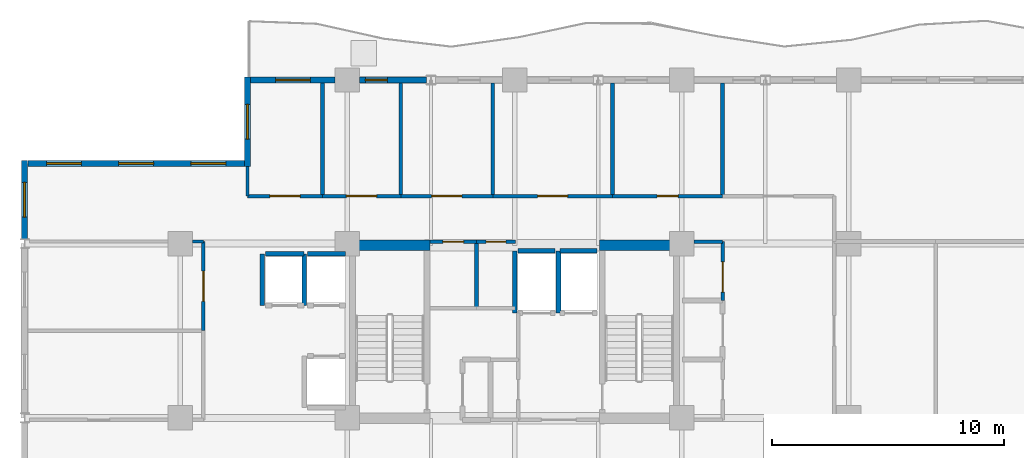
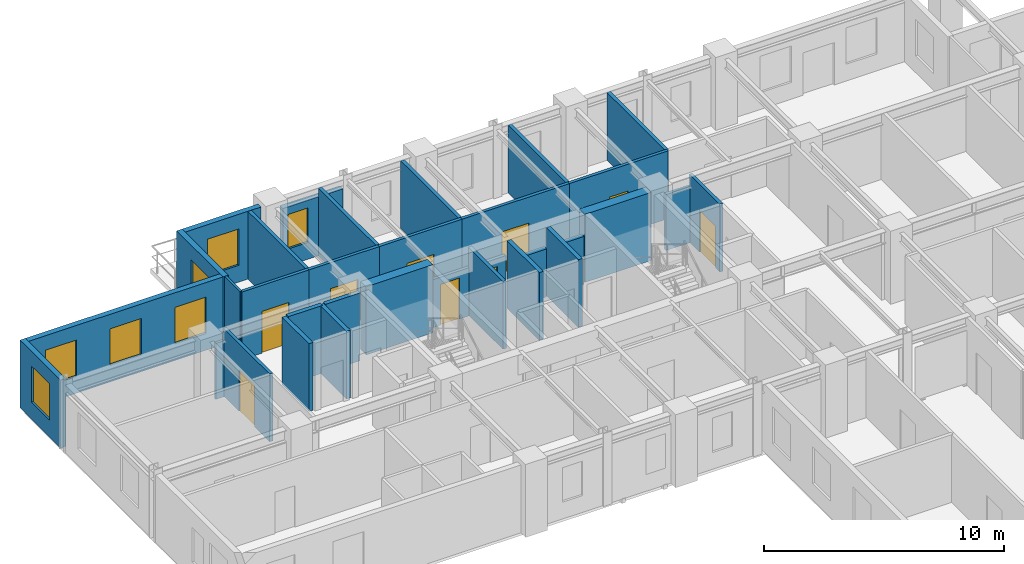
# One storey, part 8 of 13: 33 walls, 9 doors, 7 windows, 16 openings.
"""IFC4 building model written with IfcOpenShell, lengths in metres."""

from ifc_helpers import new_model, si_unit, direction, frame, frame_2d, origin, place, context, subcontext, project, spatial, rectangle, extrude, material, layer, layer_set, type_object, element, fill, save


model = new_model("IFC4")

# Units and contexts
model_context = context("Model", 3, precision=1e-05, world=origin(), true_north=direction((0.0, 1.0)))
body_context = subcontext(model_context, "Body", "Model", "MODEL_VIEW")
ifc_project = project(units=[si_unit("LENGTHUNIT", "METRE"), si_unit("AREAUNIT", "SQUARE_METRE"), si_unit("VOLUMEUNIT", "CUBIC_METRE"), si_unit("PLANEANGLEUNIT", "RADIAN"), si_unit("MASSUNIT", "GRAM", prefix="KILO")], contexts=[model_context])

# Site, building, storey
site_placement = place(None, origin())
site = spatial("IfcSite", under=ifc_project, at=site_placement, CompositionType="ELEMENT")
building_placement = place(site_placement, origin())
building = spatial("IfcBuilding", under=site, at=building_placement, Name="Kaliganga Portal Commons", CompositionType="ELEMENT")
storey_placement = place(building_placement, frame((0.0, 0.0, 173.5)))
storey = spatial("IfcBuildingStorey", under=building, at=storey_placement, Name="L44", CompositionType="ELEMENT", Elevation=173.5)

# Walls
ifc_material_1 = material(Name="Concrete C60/75", Category="concrete")
ifc_layer_1 = layer(ifc_material_1, 0.449951171875)
ifc_layer_set_1 = layer_set([ifc_layer_1], Name="Concrete C60/75")
wall_type_1 = type_object("IfcWallType", Name="WL-CORE-450", PredefinedType="SHEAR", material=ifc_layer_set_1)
for number, where, z_axis, x_axis, name in (
    (1, (14.75, 36.074951171875, 0.0), (0.0, 0.0, 1.0), (1.0, 0.0, 0.0), "Core A N-West Shear Wall L44"),
    (2, (25.25, 36.074951171875, 0.0), (0.0, 0.0, 1.0), (1.0, 0.0, 0.0), "Core A N-East Shear Wall L44"),
):
    element("IfcWall", number, at=place(storey_placement, frame(where, z_axis=z_axis, x_axis=x_axis)), inside=storey, type_object=wall_type_1, Name=name, PredefinedType="SHEAR", context=body_context, shape_type="SweptSolid", body=[
        extrude(rectangle(XDim=3.199951171875, YDim=0.449951171875, at=frame_2d((1.60009765625, 0.0))), origin(), (0.0, 0.0, 1.0), 3.4599609375),
    ])

# Wall, opening, window
ifc_material_2 = material(Name="Insulated Aluminium-Clad Spandrel Assembly", Category="aluminium")
ifc_layer_2 = layer(ifc_material_2, 0.260009765625)
ifc_layer_set_2 = layer_set([ifc_layer_2], Name="Insulated Aluminium-Clad Spandrel Assembly")
wall_type_2 = type_object("IfcWallType", Name="WL-EXT-SPAND-260", PredefinedType="STANDARD", material=ifc_layer_set_2)
wall_1_placement = place(storey_placement, frame((14.926025390625, 43.199951171875, 0.0), z_axis=(0.0, 0.0, 1.0), x_axis=(1.0, 0.0, 0.0)))
wall_1 = element("IfcWall", 3, at=wall_1_placement, inside=storey, type_object=wall_type_2, Name="Exterior Envelope Wall L44 P1-E06-S7", PredefinedType="STANDARD", context=body_context, shape_type="SweptSolid", body=[
    extrude(rectangle(XDim=2.87109375, YDim=0.260009765625, at=frame_2d((1.435546875, 0.0))), origin(), (0.0, 0.0, 1.0), 2.989990234375),
])
opening_1_placement = place(wall_1_placement, frame((0.24853515625, 0.0, 0.85009765625)))
opening_1 = element("IfcOpeningElement", 4, at=opening_1_placement, cuts=wall_1, Name="Opening W-04", PredefinedType="OPENING", context=body_context, shape_type="SweptSolid", body=[
    extrude(rectangle(XDim=0.949951171875, YDim=1.75, at=frame_2d((0.47509765625, 0.875))), frame((0.0, 0.14013671875, 0.0), z_axis=(0.0, -1.0, 0.0), x_axis=(1.0, 0.0, 0.0)), (0.0, 0.0, 1.0), 0.280029296875),
])
ifc_material_3 = material(Name="Thermally Broken Aluminium and Low-E Double Glazing", Category="aluminium")
window_type_1 = type_object("IfcWindowType", Name="WIN-NARROW-950", PartitioningType="SINGLE_PANEL", PredefinedType="WINDOW", material=ifc_material_3)
window_1_placement = place(opening_1_placement, origin())
window_1 = element("IfcWindow", 5, at=window_1_placement, inside=storey, type_object=window_type_1, Name="Facade Window L44-P1E06S7-N1", OverallHeight=1.75, OverallWidth=0.949951171875, PartitioningType="SINGLE_PANEL", PredefinedType="WINDOW", context=body_context, shape_type="SweptSolid", body=[
    extrude(rectangle(XDim=0.949951171875, YDim=1.75, at=frame_2d((0.47509765625, 0.875))), frame((0.0, 0.030029296875, 0.0), z_axis=(0.0, -1.0, 0.0), x_axis=(1.0, 0.0, 0.0)), (0.0, 0.0, 1.0), 0.06005859375),
])
fill(opening_1, window_1)

wall_2_placement = place(storey_placement, frame((10.235107421875, 43.199951171875, 0.0), z_axis=(0.0, 0.0, 1.0), x_axis=(1.0, 0.0, 0.0)))
wall_2 = element("IfcWall", 6, at=wall_2_placement, inside=storey, type_object=wall_type_2, Name="Exterior Envelope Wall L44 P1-E06-S8", PredefinedType="STANDARD", context=body_context, shape_type="SweptSolid", body=[
    extrude(rectangle(XDim=3.638916015625, YDim=0.260009765625, at=frame_2d((1.8193359375, 0.0))), origin(), (0.0, 0.0, 1.0), 3.43994140625),
])
opening_2_placement = place(wall_2_placement, frame((1.069580078125, 0.0, 0.85009765625)))
opening_2 = element("IfcOpeningElement", 7, at=opening_2_placement, cuts=wall_2, Name="Opening W-02", PredefinedType="OPENING", context=body_context, shape_type="SweptSolid", body=[
    extrude(rectangle(XDim=1.5, YDim=1.85009765625, at=frame_2d((0.75, 0.925048828125))), frame((0.0, 0.14013671875, 0.0), z_axis=(0.0, -1.0, 0.0), x_axis=(1.0, 0.0, 0.0)), (0.0, 0.0, 1.0), 0.280029296875),
])
window_type_2 = type_object("IfcWindowType", Name="WIN-STD-1500", PartitioningType="DOUBLE_PANEL_VERTICAL", PredefinedType="WINDOW", material=ifc_material_3)
window_2_placement = place(opening_2_placement, origin())
window_2 = element("IfcWindow", 8, at=window_2_placement, inside=storey, type_object=window_type_2, Name="Facade Window L44-P1E06S8-00", OverallHeight=1.85009765625, OverallWidth=1.5, PartitioningType="SINGLE_PANEL", PredefinedType="WINDOW", context=body_context, shape_type="SweptSolid", body=[
    extrude(rectangle(XDim=1.5, YDim=1.85009765625, at=frame_2d((0.75, 0.925048828125))), frame((0.0, 0.030029296875, 0.0), z_axis=(0.0, -1.0, 0.0), x_axis=(1.0, 0.0, 0.0)), (0.0, 0.0, 1.0), 0.06005859375),
])
fill(opening_2, window_2)

wall_3_placement = place(storey_placement, frame((10.10009765625, 39.469970703125, 0.0), z_axis=(0.0, 0.0, 1.0), x_axis=(0.0, 1.0, 0.0)))
wall_3 = element("IfcWall", 9, at=wall_3_placement, inside=storey, type_object=wall_type_2, Name="Exterior Envelope Wall L44 P1-E07-S1", PredefinedType="STANDARD", context=body_context, shape_type="SweptSolid", body=[
    extrude(rectangle(XDim=3.860107421875, YDim=0.260009765625, at=frame_2d((1.93017578125, 0.0))), origin(), (0.0, 0.0, 1.0), 3.43994140625),
])
opening_3_placement = place(wall_3_placement, frame((1.179931640625, 0.0, 0.85009765625)))
opening_3 = element("IfcOpeningElement", 10, at=opening_3_placement, cuts=wall_3, Name="Opening W-02", PredefinedType="OPENING", context=body_context, shape_type="SweptSolid", body=[
    extrude(rectangle(XDim=1.5, YDim=1.85009765625, at=frame_2d((0.75, 0.925048828125))), frame((0.0, 0.14013671875, 0.0), z_axis=(0.0, -1.0, 0.0), x_axis=(1.0, 0.0, 0.0)), (0.0, 0.0, 1.0), 0.280029296875),
])
window_3_placement = place(opening_3_placement, origin())
window_3 = element("IfcWindow", 11, at=window_3_placement, inside=storey, type_object=window_type_2, Name="Facade Window L44-P1E07S1-00", OverallHeight=1.85009765625, OverallWidth=1.5, PartitioningType="SINGLE_PANEL", PredefinedType="WINDOW", context=body_context, shape_type="SweptSolid", body=[
    extrude(rectangle(XDim=1.5, YDim=1.85009765625, at=frame_2d((0.75, 0.925048828125))), frame((0.0, 0.030029296875, 0.0), z_axis=(0.0, -1.0, 0.0), x_axis=(1.0, 0.0, 0.0)), (0.0, 0.0, 1.0), 0.06005859375),
])
fill(opening_3, window_3)

# Wall, openings, windows
wall_4_placement = place(storey_placement, frame((0.635009765625, 39.60009765625, 0.0), z_axis=(0.0, 0.0, 1.0), x_axis=(1.0, 0.0, 0.0)))
wall_4 = element("IfcWall", 12, at=wall_4_placement, inside=storey, type_object=wall_type_2, Name="Exterior Envelope Wall L44 P1-E08-S1", PredefinedType="STANDARD", context=body_context, shape_type="SweptSolid", body=[
    extrude(rectangle(XDim=9.330078125, YDim=0.260009765625, at=frame_2d((4.6650390625, 0.0))), origin(), (0.0, 0.0, 1.0), 3.43994140625),
])
opening_4_placement = place(wall_4_placement, frame((0.804931640625, 0.0, 0.85009765625)))
opening_4 = element("IfcOpeningElement", 13, at=opening_4_placement, cuts=wall_4, Name="Opening W-02", PredefinedType="OPENING", context=body_context, shape_type="SweptSolid", body=[
    extrude(rectangle(XDim=1.5, YDim=1.85009765625, at=frame_2d((0.75, 0.925048828125))), frame((0.0, 0.14013671875, 0.0), z_axis=(0.0, -1.0, 0.0), x_axis=(1.0, 0.0, 0.0)), (0.0, 0.0, 1.0), 0.280029296875),
])
opening_5_placement = place(wall_4_placement, frame((3.9150390625, 0.0, 0.85009765625)))
opening_5 = element("IfcOpeningElement", 14, at=opening_5_placement, cuts=wall_4, Name="Opening W-02", PredefinedType="OPENING", context=body_context, shape_type="SweptSolid", body=[
    extrude(rectangle(XDim=1.5, YDim=1.85009765625, at=frame_2d((0.75, 0.925048828125))), frame((0.0, 0.14013671875, 0.0), z_axis=(0.0, -1.0, 0.0), x_axis=(1.0, 0.0, 0.0)), (0.0, 0.0, 1.0), 0.280029296875),
])
opening_6_placement = place(wall_4_placement, frame((7.02490234375, 0.0, 0.85009765625)))
opening_6 = element("IfcOpeningElement", 15, at=opening_6_placement, cuts=wall_4, Name="Opening W-02", PredefinedType="OPENING", context=body_context, shape_type="SweptSolid", body=[
    extrude(rectangle(XDim=1.5, YDim=1.85009765625, at=frame_2d((0.75, 0.925048828125))), frame((0.0, 0.14013671875, 0.0), z_axis=(0.0, -1.0, 0.0), x_axis=(1.0, 0.0, 0.0)), (0.0, 0.0, 1.0), 0.280029296875),
])
window_4_placement = place(opening_4_placement, origin())
window_4 = element("IfcWindow", 16, at=window_4_placement, inside=storey, type_object=window_type_2, Name="Facade Window L44-P1E08S1-00", OverallHeight=1.85009765625, OverallWidth=1.5, PartitioningType="SINGLE_PANEL", PredefinedType="WINDOW", context=body_context, shape_type="SweptSolid", body=[
    extrude(rectangle(XDim=1.5, YDim=1.85009765625, at=frame_2d((0.75, 0.925048828125))), frame((0.0, 0.030029296875, 0.0), z_axis=(0.0, -1.0, 0.0), x_axis=(1.0, 0.0, 0.0)), (0.0, 0.0, 1.0), 0.06005859375),
])
fill(opening_4, window_4)
window_5_placement = place(opening_5_placement, origin())
window_5 = element("IfcWindow", 17, at=window_5_placement, inside=storey, type_object=window_type_2, Name="Facade Window L44-P1E08S1-01", OverallHeight=1.85009765625, OverallWidth=1.5, PartitioningType="SINGLE_PANEL", PredefinedType="WINDOW", context=body_context, shape_type="SweptSolid", body=[
    extrude(rectangle(XDim=1.5, YDim=1.85009765625, at=frame_2d((0.75, 0.925048828125))), frame((0.0, 0.030029296875, 0.0), z_axis=(0.0, -1.0, 0.0), x_axis=(1.0, 0.0, 0.0)), (0.0, 0.0, 1.0), 0.06005859375),
])
fill(opening_5, window_5)
window_6_placement = place(opening_6_placement, origin())
window_6 = element("IfcWindow", 18, at=window_6_placement, inside=storey, type_object=window_type_2, Name="Facade Window L44-P1E08S1-02", OverallHeight=1.85009765625, OverallWidth=1.5, PartitioningType="SINGLE_PANEL", PredefinedType="WINDOW", context=body_context, shape_type="SweptSolid", body=[
    extrude(rectangle(XDim=1.5, YDim=1.85009765625, at=frame_2d((0.75, 0.925048828125))), frame((0.0, 0.030029296875, 0.0), z_axis=(0.0, -1.0, 0.0), x_axis=(1.0, 0.0, 0.0)), (0.0, 0.0, 1.0), 0.06005859375),
])
fill(opening_6, window_6)

# Wall, opening, window
wall_5_placement = place(storey_placement, frame((0.5, 36.35791015625, 0.0), z_axis=(0.0, 0.0, 1.0), x_axis=(0.0, 1.0, 0.0)))
wall_5 = element("IfcWall", 19, at=wall_5_placement, inside=storey, type_object=wall_type_2, Name="Exterior Envelope Wall L44 P1-E09-S1", PredefinedType="STANDARD", context=body_context, shape_type="SweptSolid", body=[
    extrude(rectangle(XDim=3.3720703125, YDim=0.260009765625, at=frame_2d((1.68603515625, 0.0))), origin(), (0.0, 0.0, 1.0), 3.43994140625),
])
opening_7_placement = place(wall_5_placement, frame((0.93603515625, 0.0, 0.85009765625)))
opening_7 = element("IfcOpeningElement", 20, at=opening_7_placement, cuts=wall_5, Name="Opening W-02", PredefinedType="OPENING", context=body_context, shape_type="SweptSolid", body=[
    extrude(rectangle(XDim=1.5, YDim=1.85009765625, at=frame_2d((0.75, 0.925048828125))), frame((0.0, 0.14013671875, 0.0), z_axis=(0.0, -1.0, 0.0), x_axis=(1.0, 0.0, 0.0)), (0.0, 0.0, 1.0), 0.280029296875),
])
window_7_placement = place(opening_7_placement, origin())
window_7 = element("IfcWindow", 21, at=window_7_placement, inside=storey, type_object=window_type_2, Name="Facade Window L44-P1E09S1-00", OverallHeight=1.85009765625, OverallWidth=1.5, PartitioningType="SINGLE_PANEL", PredefinedType="WINDOW", context=body_context, shape_type="SweptSolid", body=[
    extrude(rectangle(XDim=1.5, YDim=1.85009765625, at=frame_2d((0.75, 0.925048828125))), frame((0.0, 0.030029296875, 0.0), z_axis=(0.0, -1.0, 0.0), x_axis=(1.0, 0.0, 0.0)), (0.0, 0.0, 1.0), 0.06005859375),
])
fill(opening_7, window_7)

# Wall, opening, door
ifc_material_4 = material(Name="Fire-Rated Gypsum Board on Steel Stud", Category="steel")
ifc_layer_3 = layer(ifc_material_4, 0.14990234375)
ifc_layer_set_3 = layer_set([ifc_layer_3], Name="Fire-Rated Gypsum Board on Steel Stud")
wall_type_3 = type_object("IfcWallType", Name="WL-PART-CORR-150", PredefinedType="PARTITIONING", material=ifc_layer_set_3)
wall_6_placement = place(storey_placement, frame((20.659912109375, 38.199951171875, 0.0), z_axis=(0.0, 0.0, 1.0), x_axis=(1.0, 0.0, 0.0)))
wall_6 = element("IfcWall", 22, at=wall_6_placement, inside=storey, type_object=wall_type_3, Name="Interior Partition L44-019", PredefinedType="PARTITIONING", context=body_context, shape_type="SweptSolid", body=[
    extrude(rectangle(XDim=5.16015625, YDim=0.14990234375, at=frame_2d((2.580078125, 0.0))), origin(), (0.0, 0.0, 1.0), 3.43994140625),
])
opening_8_placement = place(wall_6_placement, frame((1.929931640625, 0.0, 0.0)))
opening_8 = element("IfcOpeningElement", 23, at=opening_8_placement, cuts=wall_6, Name="Opening RD-03", PredefinedType="OPENING", context=body_context, shape_type="SweptSolid", body=[
    extrude(rectangle(XDim=1.300048828125, YDim=2.1201171875, at=frame_2d((0.64990234375, 1.06005859375))), frame((0.0, 0.0849609375, 0.0), z_axis=(0.0, -1.0, 0.0), x_axis=(1.0, 0.0, 0.0)), (0.0, 0.0, 1.0), 0.169921875),
])
ifc_material_5 = material(Name="Glazed Timber Seminar Vision Door", Category="wood")
door_type_1 = type_object("IfcDoorType", Name="DR-STUDY-1300", OperationType="DOUBLE_DOOR_SINGLE_SWING", PredefinedType="DOOR", material=ifc_material_5)
door_1_placement = place(opening_8_placement, origin())
door_1 = element("IfcDoor", 24, at=door_1_placement, inside=storey, type_object=door_type_1, Name="Interior Door L44-AN04", OperationType="DOUBLE_DOOR_SINGLE_SWING", OverallHeight=2.1201171875, OverallWidth=1.300048828125, PredefinedType="DOOR", context=body_context, shape_type="SweptSolid", body=[
    extrude(rectangle(XDim=1.300048828125, YDim=2.1201171875, at=frame_2d((0.64990234375, 1.06005859375))), frame((0.0, 0.02490234375, 0.0), z_axis=(0.0, -1.0, 0.0), x_axis=(1.0, 0.0, 0.0)), (0.0, 0.0, 1.0), 0.050048828125),
])
fill(opening_8, door_1)

wall_7_placement = place(storey_placement, frame((25.820068359375, 38.199951171875, 0.0), z_axis=(0.0, 0.0, 1.0), x_axis=(1.0, 0.0, 0.0)))
wall_7 = element("IfcWall", 25, at=wall_7_placement, inside=storey, type_object=wall_type_3, Name="Interior Partition L44-023", PredefinedType="PARTITIONING", context=body_context, shape_type="SweptSolid", body=[
    extrude(rectangle(XDim=4.739990234375, YDim=0.14990234375, at=frame_2d((2.3701171875, 0.0))), origin(), (0.0, 0.0, 1.0), 3.43994140625),
])
opening_9_placement = place(wall_7_placement, frame((1.919921875, 0.0, 0.0)))
opening_9 = element("IfcOpeningElement", 26, at=opening_9_placement, cuts=wall_7, Name="Opening RD-01", PredefinedType="OPENING", context=body_context, shape_type="SweptSolid", body=[
    extrude(rectangle(XDim=0.89990234375, YDim=2.080078125, at=frame_2d((0.449951171875, 1.0400390625))), frame((0.0, 0.0849609375, 0.0), z_axis=(0.0, -1.0, 0.0), x_axis=(1.0, 0.0, 0.0)), (0.0, 0.0, 1.0), 0.169921875),
])
ifc_material_6 = material(Name="Engineered Timber Flush Door", Category="wood")
door_type_2 = type_object("IfcDoorType", Name="DR-ROOM-900", OperationType="NOTDEFINED", PredefinedType="DOOR", material=ifc_material_6)
door_2_placement = place(opening_9_placement, origin())
door_2 = element("IfcDoor", 27, at=door_2_placement, inside=storey, type_object=door_type_2, Name="Interior Door L44-AN05", OperationType="SINGLE_SWING_RIGHT", OverallHeight=2.080078125, OverallWidth=0.89990234375, PredefinedType="DOOR", context=body_context, shape_type="SweptSolid", body=[
    extrude(rectangle(XDim=0.89990234375, YDim=2.080078125, at=frame_2d((0.449951171875, 1.0400390625))), frame((0.0, 0.02490234375, 0.0), z_axis=(0.0, -1.0, 0.0), x_axis=(1.0, 0.0, 0.0)), (0.0, 0.0, 1.0), 0.050048828125),
])
fill(opening_9, door_2)

wall_8_placement = place(storey_placement, frame((16.699951171875, 38.199951171875, 0.0), z_axis=(0.0, 0.0, 1.0), x_axis=(1.0, 0.0, 0.0)))
wall_8 = element("IfcWall", 28, at=wall_8_placement, inside=storey, type_object=wall_type_3, Name="Interior Partition L44-029", PredefinedType="PARTITIONING", context=body_context, shape_type="SweptSolid", body=[
    extrude(rectangle(XDim=3.9599609375, YDim=0.14990234375, at=frame_2d((1.97998046875, 0.0))), origin(), (0.0, 0.0, 1.0), 3.43994140625),
])
opening_10_placement = place(wall_8_placement, frame((1.330078125, 0.0, 0.0)))
opening_10 = element("IfcOpeningElement", 29, at=opening_10_placement, cuts=wall_8, Name="Opening RD-03", PredefinedType="OPENING", context=body_context, shape_type="SweptSolid", body=[
    extrude(rectangle(XDim=1.300048828125, YDim=2.1201171875, at=frame_2d((0.64990234375, 1.06005859375))), frame((0.0, 0.0849609375, 0.0), z_axis=(0.0, -1.0, 0.0), x_axis=(1.0, 0.0, 0.0)), (0.0, 0.0, 1.0), 0.169921875),
])
door_3_placement = place(opening_10_placement, origin())
door_3 = element("IfcDoor", 30, at=door_3_placement, inside=storey, type_object=door_type_1, Name="Interior Door L44-AN03", OperationType="DOUBLE_DOOR_SINGLE_SWING", OverallHeight=2.1201171875, OverallWidth=1.300048828125, PredefinedType="DOOR", context=body_context, shape_type="SweptSolid", body=[
    extrude(rectangle(XDim=1.300048828125, YDim=2.1201171875, at=frame_2d((0.64990234375, 1.06005859375))), frame((0.0, 0.02490234375, 0.0), z_axis=(0.0, -1.0, 0.0), x_axis=(1.0, 0.0, 0.0)), (0.0, 0.0, 1.0), 0.050048828125),
])
fill(opening_10, door_3)

wall_9_placement = place(storey_placement, frame((8.199951171875, 32.39990234375, 0.0), z_axis=(0.0, 0.0, 1.0), x_axis=(0.0, 1.0, 0.0)))
wall_9 = element("IfcWall", 31, at=wall_9_placement, inside=storey, type_object=wall_type_3, Name="Interior Partition L44-032", PredefinedType="PARTITIONING", context=body_context, shape_type="SweptSolid", body=[
    extrude(rectangle(XDim=3.840087890625, YDim=0.14990234375, at=frame_2d((1.919921875, 0.0))), origin(), (0.0, 0.0, 1.0), 3.43994140625),
])
opening_11_placement = place(wall_9_placement, frame((1.27001953125, 0.0, 0.0)))
opening_11 = element("IfcOpeningElement", 32, at=opening_11_placement, cuts=wall_9, Name="Opening RD-03", PredefinedType="OPENING", context=body_context, shape_type="SweptSolid", body=[
    extrude(rectangle(XDim=1.300048828125, YDim=2.1201171875, at=frame_2d((0.64990234375, 1.06005859375))), frame((0.0, 0.0849609375, 0.0), z_axis=(0.0, -1.0, 0.0), x_axis=(1.0, 0.0, 0.0)), (0.0, 0.0, 1.0), 0.169921875),
])
door_4_placement = place(opening_11_placement, origin())
door_4 = element("IfcDoor", 33, at=door_4_placement, inside=storey, type_object=door_type_1, Name="Interior Door L44-AW02", OperationType="DOUBLE_DOOR_SINGLE_SWING", OverallHeight=2.1201171875, OverallWidth=1.300048828125, PredefinedType="DOOR", context=body_context, shape_type="SweptSolid", body=[
    extrude(rectangle(XDim=1.300048828125, YDim=2.1201171875, at=frame_2d((0.64990234375, 1.06005859375))), frame((0.0, 0.02490234375, 0.0), z_axis=(0.0, -1.0, 0.0), x_axis=(1.0, 0.0, 0.0)), (0.0, 0.0, 1.0), 0.050048828125),
])
fill(opening_11, door_4)

wall_10_placement = place(storey_placement, frame((13.320068359375, 38.199951171875, 0.0), z_axis=(0.0, 0.0, 1.0), x_axis=(1.0, 0.0, 0.0)))
wall_10 = element("IfcWall", 34, at=wall_10_placement, inside=storey, type_object=wall_type_3, Name="Interior Partition L44-035", PredefinedType="PARTITIONING", context=body_context, shape_type="SweptSolid", body=[
    extrude(rectangle(XDim=3.3798828125, YDim=0.14990234375, at=frame_2d((1.68994140625, 0.0))), origin(), (0.0, 0.0, 1.0), 3.43994140625),
])
opening_12_placement = place(wall_10_placement, frame((1.0400390625, 0.0, 0.0)))
opening_12 = element("IfcOpeningElement", 35, at=opening_12_placement, cuts=wall_10, Name="Opening RD-03", PredefinedType="OPENING", context=body_context, shape_type="SweptSolid", body=[
    extrude(rectangle(XDim=1.300048828125, YDim=2.1201171875, at=frame_2d((0.64990234375, 1.06005859375))), frame((0.0, 0.0849609375, 0.0), z_axis=(0.0, -1.0, 0.0), x_axis=(1.0, 0.0, 0.0)), (0.0, 0.0, 1.0), 0.169921875),
])
door_5_placement = place(opening_12_placement, origin())
door_5 = element("IfcDoor", 36, at=door_5_placement, inside=storey, type_object=door_type_1, Name="Interior Door L44-AN02", OperationType="DOUBLE_DOOR_SINGLE_SWING", OverallHeight=2.1201171875, OverallWidth=1.300048828125, PredefinedType="DOOR", context=body_context, shape_type="SweptSolid", body=[
    extrude(rectangle(XDim=1.300048828125, YDim=2.1201171875, at=frame_2d((0.64990234375, 1.06005859375))), frame((0.0, 0.02490234375, 0.0), z_axis=(0.0, -1.0, 0.0), x_axis=(1.0, 0.0, 0.0)), (0.0, 0.0, 1.0), 0.050048828125),
])
fill(opening_12, door_5)

wall_11_placement = place(storey_placement, frame((10.10009765625, 38.199951171875, 0.0), z_axis=(0.0, 0.0, 1.0), x_axis=(1.0, 0.0, 0.0)))
wall_11 = element("IfcWall", 37, at=wall_11_placement, inside=storey, type_object=wall_type_3, Name="Interior Partition L44-036", PredefinedType="PARTITIONING", context=body_context, shape_type="SweptSolid", body=[
    extrude(rectangle(XDim=3.219970703125, YDim=0.14990234375, at=frame_2d((1.60986328125, 0.0))), origin(), (0.0, 0.0, 1.0), 3.43994140625),
])
opening_13_placement = place(wall_11_placement, frame((0.9599609375, 0.0, 0.0)))
opening_13 = element("IfcOpeningElement", 38, at=opening_13_placement, cuts=wall_11, Name="Opening RD-03", PredefinedType="OPENING", context=body_context, shape_type="SweptSolid", body=[
    extrude(rectangle(XDim=1.300048828125, YDim=2.1201171875, at=frame_2d((0.64990234375, 1.06005859375))), frame((0.0, 0.0849609375, 0.0), z_axis=(0.0, -1.0, 0.0), x_axis=(1.0, 0.0, 0.0)), (0.0, 0.0, 1.0), 0.169921875),
])
door_6_placement = place(opening_13_placement, origin())
door_6 = element("IfcDoor", 39, at=door_6_placement, inside=storey, type_object=door_type_1, Name="Interior Door L44-AN01", OperationType="DOUBLE_DOOR_SINGLE_SWING", OverallHeight=2.1201171875, OverallWidth=1.300048828125, PredefinedType="DOOR", context=body_context, shape_type="SweptSolid", body=[
    extrude(rectangle(XDim=1.300048828125, YDim=2.1201171875, at=frame_2d((0.64990234375, 1.06005859375))), frame((0.0, 0.02490234375, 0.0), z_axis=(0.0, -1.0, 0.0), x_axis=(1.0, 0.0, 0.0)), (0.0, 0.0, 1.0), 0.050048828125),
])
fill(opening_13, door_6)

wall_12_placement = place(storey_placement, frame((30.56005859375, 33.699951171875, 0.0), z_axis=(0.0, 0.0, 1.0), x_axis=(0.0, 1.0, 0.0)))
wall_12 = element("IfcWall", 40, at=wall_12_placement, inside=storey, type_object=wall_type_3, Name="Interior Partition L44-046", PredefinedType="PARTITIONING", context=body_context, shape_type="SweptSolid", body=[
    extrude(rectangle(XDim=2.5400390625, YDim=0.14990234375, at=frame_2d((1.27001953125, 0.0))), origin(), (0.0, 0.0, 1.0), 3.43994140625),
])
opening_14_placement = place(wall_12_placement, frame((0.365966796875, 0.0, 0.0)))
opening_14 = element("IfcOpeningElement", 41, at=opening_14_placement, cuts=wall_12, Name="Opening RD-03", PredefinedType="OPENING", context=body_context, shape_type="SweptSolid", body=[
    extrude(rectangle(XDim=1.300048828125, YDim=2.1201171875, at=frame_2d((0.64990234375, 1.06005859375))), frame((0.0, 0.0849609375, 0.0), z_axis=(0.0, -1.0, 0.0), x_axis=(1.0, 0.0, 0.0)), (0.0, 0.0, 1.0), 0.169921875),
])
door_7_placement = place(opening_14_placement, origin())
door_7 = element("IfcDoor", 42, at=door_7_placement, inside=storey, type_object=door_type_1, Name="Interior Door L44-CSRV_A2", OperationType="DOUBLE_DOOR_SINGLE_SWING", OverallHeight=2.1201171875, OverallWidth=1.300048828125, PredefinedType="DOOR", context=body_context, shape_type="SweptSolid", body=[
    extrude(rectangle(XDim=1.300048828125, YDim=2.1201171875, at=frame_2d((0.64990234375, 1.06005859375))), frame((0.0, 0.02490234375, 0.0), z_axis=(0.0, -1.0, 0.0), x_axis=(1.0, 0.0, 0.0)), (0.0, 0.0, 1.0), 0.050048828125),
])
fill(opening_14, door_7)

wall_13_placement = place(storey_placement, frame((17.9599609375, 36.239990234375, 0.0), z_axis=(0.0, 0.0, 1.0), x_axis=(1.0, 0.0, 0.0)))
wall_13 = element("IfcWall", 43, at=wall_13_placement, inside=storey, type_object=wall_type_3, Name="Interior Partition L44-048", PredefinedType="PARTITIONING", context=body_context, shape_type="SweptSolid", body=[
    extrude(rectangle(XDim=2.0, YDim=0.14990234375, at=frame_2d((1.0, 0.0))), origin(), (0.0, 0.0, 1.0), 2.43994140625),
])
opening_15_placement = place(wall_13_placement, frame((0.550048828125, 0.0, 0.0)))
opening_15 = element("IfcOpeningElement", 44, at=opening_15_placement, cuts=wall_13, Name="Opening RD-01", PredefinedType="OPENING", context=body_context, shape_type="SweptSolid", body=[
    extrude(rectangle(XDim=0.89990234375, YDim=2.080078125, at=frame_2d((0.449951171875, 1.0400390625))), frame((0.0, 0.0849609375, 0.0), z_axis=(0.0, -1.0, 0.0), x_axis=(1.0, 0.0, 0.0)), (0.0, 0.0, 1.0), 0.169921875),
])
door_8_placement = place(opening_15_placement, origin())
door_8 = element("IfcDoor", 45, at=door_8_placement, inside=storey, type_object=door_type_2, Name="Interior Door L44-CREC_A1", OperationType="SINGLE_SWING_RIGHT", OverallHeight=2.080078125, OverallWidth=0.89990234375, PredefinedType="DOOR", context=body_context, shape_type="SweptSolid", body=[
    extrude(rectangle(XDim=0.89990234375, YDim=2.080078125, at=frame_2d((0.449951171875, 1.0400390625))), frame((0.0, 0.02490234375, 0.0), z_axis=(0.0, -1.0, 0.0), x_axis=(1.0, 0.0, 0.0)), (0.0, 0.0, 1.0), 0.050048828125),
])
fill(opening_15, door_8)

# Wall
wall_14_placement = place(storey_placement, frame((29.324951171875, 36.239990234375, 0.0), z_axis=(0.0, 0.0, 1.0), x_axis=(1.0, 0.0, 0.0)))
element("IfcWall", 46, at=wall_14_placement, inside=storey, type_object=wall_type_3, Name="Interior Partition L44-051", PredefinedType="PARTITIONING", context=body_context, shape_type="SweptSolid", body=[
    extrude(rectangle(XDim=1.235107421875, YDim=0.14990234375, at=frame_2d((0.61767578125, 0.0))), origin(), (0.0, 0.0, 1.0), 2.840087890625),
])

# Wall, opening, door
wall_15_placement = place(storey_placement, frame((19.9599609375, 36.239990234375, 0.0), z_axis=(0.0, 0.0, 1.0), x_axis=(1.0, 0.0, 0.0)))
wall_15 = element("IfcWall", 47, at=wall_15_placement, inside=storey, type_object=wall_type_3, Name="Interior Partition L44-053", PredefinedType="PARTITIONING", context=body_context, shape_type="SweptSolid", body=[
    extrude(rectangle(XDim=1.679931640625, YDim=0.14990234375, at=frame_2d((0.83984375, 0.0))), origin(), (0.0, 0.0, 1.0), 2.43994140625),
])
opening_16_placement = place(wall_15_placement, frame((0.409912109375, 0.0, 0.0)))
opening_16 = element("IfcOpeningElement", 48, at=opening_16_placement, cuts=wall_15, Name="Opening WD-02", PredefinedType="OPENING", context=body_context, shape_type="SweptSolid", body=[
    extrude(rectangle(XDim=0.860107421875, YDim=2.02001953125, at=frame_2d((0.43017578125, 1.010009765625))), frame((0.0, 0.0849609375, 0.0), z_axis=(0.0, -1.0, 0.0), x_axis=(1.0, 0.0, 0.0)), (0.0, 0.0, 1.0), 0.169921875),
])
ifc_material_7 = material(Name="Fire-Rated Utility Closet Door", Category="wood")
door_type_3 = type_object("IfcDoorType", Name="DR-STORE-800", OperationType="NOTDEFINED", PredefinedType="DOOR", material=ifc_material_7)
door_9_placement = place(opening_16_placement, origin())
door_9 = element("IfcDoor", 49, at=door_9_placement, inside=storey, type_object=door_type_3, Name="Interior Door L44-CREC_A2", OperationType="SINGLE_SWING_LEFT", OverallHeight=2.02001953125, OverallWidth=0.860107421875, PredefinedType="DOOR", context=body_context, shape_type="SweptSolid", body=[
    extrude(rectangle(XDim=0.860107421875, YDim=2.02001953125, at=frame_2d((0.43017578125, 1.010009765625))), frame((0.0, 0.02490234375, 0.0), z_axis=(0.0, -1.0, 0.0), x_axis=(1.0, 0.0, 0.0)), (0.0, 0.0, 1.0), 0.050048828125),
])
fill(opening_16, door_9)

# Walls
ifc_material_8 = material(Name="Moisture-Resistant Gypsum Partition", Category="gypsum")
ifc_layer_4 = layer(ifc_material_8, 0.114990234375)
ifc_layer_set_4 = layer_set([ifc_layer_4], Name="Moisture-Resistant Gypsum Partition")
wall_type_4 = type_object("IfcWallType", Name="WL-PART-ROOM-115", PredefinedType="PARTITIONING", material=ifc_layer_set_4)
wall_16_placement = place(storey_placement, frame((7.72509765625, 36.239990234375, 0.0), z_axis=(0.0, 0.0, 1.0), x_axis=(1.0, 0.0, 0.0)))
element("IfcWall", 50, at=wall_16_placement, inside=storey, type_object=wall_type_4, Name="Interior Partition L44-064", PredefinedType="PARTITIONING", context=body_context, shape_type="SweptSolid", body=[
    extrude(rectangle(XDim=0.474853515625, YDim=0.114990234375, at=frame_2d((0.2373046875, 0.0))), origin(), (0.0, 0.0, 1.0), 2.840087890625),
])
wall_17_placement = place(storey_placement, frame((10.10009765625, 38.199951171875, 0.0), z_axis=(0.0, 0.0, 1.0), x_axis=(0.0, 1.0, 0.0)))
element("IfcWall", 51, at=wall_17_placement, inside=storey, type_object=wall_type_4, Name="Interior Partition L44-071", PredefinedType="PARTITIONING", context=body_context, shape_type="SweptSolid", body=[
    extrude(rectangle(XDim=1.26806640625, YDim=0.114990234375, at=frame_2d((0.634033203125, 0.0))), origin(), (0.0, 0.0, 1.0), 3.43994140625),
])
ifc_material_9 = material(Name="Twin-Stud Acoustic Gypsum Partition", Category="gypsum")
ifc_layer_5 = layer(ifc_material_9, 0.1650390625)
ifc_layer_set_5 = layer_set([ifc_layer_5], Name="Twin-Stud Acoustic Gypsum Partition")
wall_type_5 = type_object("IfcWallType", Name="WL-PART-UNIT-165", PredefinedType="PARTITIONING", material=ifc_layer_set_5)
for number, where, z_axis, x_axis, name in (
    (52, (13.320068359375, 38.199951171875, 0.0), (0.0, 0.0, 1.0), (0.0, 1.0, 0.0), "Interior Partition L44-072"),
    (53, (16.699951171875, 38.199951171875, 0.0), (0.0, 0.0, 1.0), (0.0, 1.0, 0.0), "Interior Partition L44-073"),
    (54, (20.659912109375, 38.199951171875, 0.0), (0.0, 0.0, 1.0), (0.0, 1.0, 0.0), "Interior Partition L44-075"),
    (55, (25.820068359375, 38.199951171875, 0.0), (0.0, 0.0, 1.0), (0.0, 1.0, 0.0), "Interior Partition L44-076"),
    (56, (30.56005859375, 38.199951171875, 0.0), (0.0, 0.0, 1.0), (0.0, 1.0, 0.0), "Interior Partition L44-078"),
):
    element("IfcWall", number, at=place(storey_placement, frame(where, z_axis=z_axis, x_axis=x_axis)), inside=storey, type_object=wall_type_5, Name=name, PredefinedType="PARTITIONING", context=body_context, shape_type="SweptSolid", body=[
        extrude(rectangle(XDim=4.8681640625, YDim=0.1650390625, at=frame_2d((2.43408203125, 0.0))), origin(), (0.0, 0.0, 1.0), 3.43994140625),
    ])
wall_18_placement = place(storey_placement, frame((19.9599609375, 33.360107421875, 0.0), z_axis=(0.0, 0.0, 1.0), x_axis=(0.0, 1.0, 0.0)))
element("IfcWall", 57, at=wall_18_placement, inside=storey, type_object=wall_type_5, Name="Interior Partition L44-086", PredefinedType="PARTITIONING", context=body_context, shape_type="SweptSolid", body=[
    extrude(rectangle(XDim=2.8798828125, YDim=0.1650390625, at=frame_2d((1.43994140625, 0.0))), origin(), (0.0, 0.0, 1.0), 3.43994140625),
])
ifc_material_10 = material(Name="Fire-Rated Shaftwall Masonry Assembly", Category="masonry")
ifc_layer_6 = layer(ifc_material_10, 0.199951171875)
ifc_layer_set_6 = layer_set([ifc_layer_6], Name="Fire-Rated Shaftwall Masonry Assembly")
wall_type_6 = type_object("IfcWallType", Name="WL-SHAFT-200", PredefinedType="PARTITIONING", material=ifc_layer_set_6)
wall_19_placement = place(storey_placement, frame((12.675048828125, 35.715087890625, 0.0), z_axis=(0.0, 0.0, 1.0), x_axis=(1.0, 0.0, 0.0)))
element("IfcWall", 58, at=wall_19_placement, inside=storey, type_object=wall_type_6, Name="Lift PL-A3 Hoistway Shaft Wall L44-N", PredefinedType="PARTITIONING", context=body_context, shape_type="SweptSolid", body=[
    extrude(rectangle(XDim=1.64990234375, YDim=0.199951171875, at=frame_2d((0.824951171875, 0.0))), origin(), (0.0, 0.0, 1.0), 3.43994140625),
])
wall_20_placement = place(storey_placement, frame((12.534912109375, 33.485107421875, 0.0), z_axis=(0.0, 0.0, 1.0), x_axis=(0.0, 1.0, 0.0)))
element("IfcWall", 59, at=wall_20_placement, inside=storey, type_object=wall_type_6, Name="Lift PL-A3 Hoistway Shaft Wall L44-W", PredefinedType="PARTITIONING", context=body_context, shape_type="SweptSolid", body=[
    extrude(rectangle(XDim=2.22998046875, YDim=0.199951171875, at=frame_2d((1.114990234375, 0.0))), origin(), (0.0, 0.0, 1.0), 3.43994140625),
])
wall_21_placement = place(storey_placement, frame((10.875, 35.715087890625, 0.0), z_axis=(0.0, 0.0, 1.0), x_axis=(1.0, 0.0, 0.0)))
element("IfcWall", 60, at=wall_21_placement, inside=storey, type_object=wall_type_6, Name="Lift PL-OBS Hoistway Shaft Wall L44-N", PredefinedType="PARTITIONING", context=body_context, shape_type="SweptSolid", body=[
    extrude(rectangle(XDim=1.64990234375, YDim=0.199951171875, at=frame_2d((0.824951171875, 0.0))), origin(), (0.0, 0.0, 1.0), 3.43994140625),
])
wall_22_placement = place(storey_placement, frame((10.735107421875, 33.485107421875, 0.0), z_axis=(0.0, 0.0, 1.0), x_axis=(0.0, 1.0, 0.0)))
element("IfcWall", 61, at=wall_22_placement, inside=storey, type_object=wall_type_6, Name="Lift PL-OBS Hoistway Shaft Wall L44-W", PredefinedType="PARTITIONING", context=body_context, shape_type="SweptSolid", body=[
    extrude(rectangle(XDim=2.22998046875, YDim=0.199951171875, at=frame_2d((1.114990234375, 0.0))), origin(), (0.0, 0.0, 1.0), 3.43994140625),
])
wall_23_placement = place(storey_placement, frame((21.75, 35.840087890625, 0.0), z_axis=(0.0, 0.0, 1.0), x_axis=(1.0, 0.0, 0.0)))
element("IfcWall", 62, at=wall_23_placement, inside=storey, type_object=wall_type_6, Name="Lift FFL-1 Hoistway Shaft Wall L44-N", PredefinedType="PARTITIONING", context=body_context, shape_type="SweptSolid", body=[
    extrude(rectangle(XDim=1.60009765625, YDim=0.199951171875, at=frame_2d((0.800048828125, 0.0))), origin(), (0.0, 0.0, 1.0), 2.43994140625),
])
for number, where, z_axis, x_axis, name in (
    (63, (21.610107421875, 33.159912109375, 0.0), (0.0, 0.0, 1.0), (0.0, 1.0, 0.0), "Lift FFL-1 Hoistway Shaft Wall L44-W"),
    (64, (23.489990234375, 33.159912109375, 0.0), (0.0, 0.0, 1.0), (0.0, 1.0, 0.0), "Lift FFL-1 Hoistway Shaft Wall L44-E"),
):
    element("IfcWall", number, at=place(storey_placement, frame(where, z_axis=z_axis, x_axis=x_axis)), inside=storey, type_object=wall_type_6, Name=name, PredefinedType="PARTITIONING", context=body_context, shape_type="SweptSolid", body=[
        extrude(rectangle(XDim=2.68017578125, YDim=0.199951171875, at=frame_2d((1.340087890625, 0.0))), origin(), (0.0, 0.0, 1.0), 3.43994140625),
    ])
wall_24_placement = place(storey_placement, frame((23.550048828125, 35.840087890625, 0.0), z_axis=(0.0, 0.0, 1.0), x_axis=(1.0, 0.0, 0.0)))
element("IfcWall", 65, at=wall_24_placement, inside=storey, type_object=wall_type_6, Name="Lift FFL-2 Hoistway Shaft Wall L44-N", PredefinedType="PARTITIONING", context=body_context, shape_type="SweptSolid", body=[
    extrude(rectangle(XDim=1.599853515625, YDim=0.199951171875, at=frame_2d((0.7998046875, 0.0))), origin(), (0.0, 0.0, 1.0), 2.43994140625),
])

save(model, "model.ifc")
